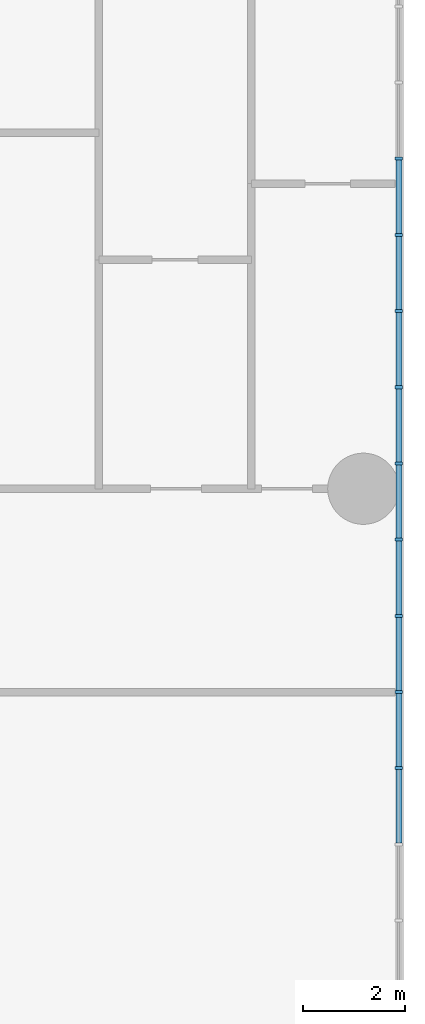
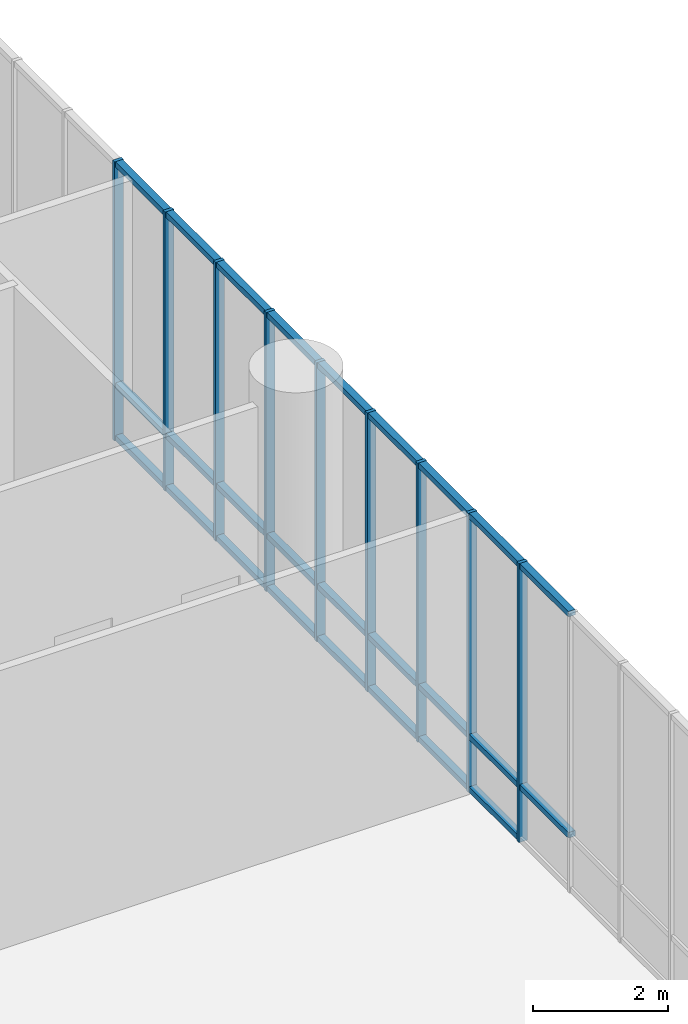
# One storey, part 15 of 30: 35 members, 1 element without a shape of its own.
"""IFC4 building model written with IfcOpenShell, lengths in metres."""

from ifc_helpers import new_model, si_unit, direction, frame, origin, origin_2d, place, context, subcontext, project, spatial, rectangle, extrude, material, layer, layer_set, material_profile, profile_set, type_object, element, aggregate, save


model = new_model("IFC4")

# Units and contexts
model_context = context("Model", 3, precision=1e-05, world=origin(), true_north=direction((0.0, 1.0)))
body_context = subcontext(model_context, "Body", "Model", "MODEL_VIEW")
ifc_project = project(units=[si_unit("LENGTHUNIT", "METRE"), si_unit("AREAUNIT", "SQUARE_METRE"), si_unit("VOLUMEUNIT", "CUBIC_METRE"), si_unit("PLANEANGLEUNIT", "RADIAN"), si_unit("MASSUNIT", "GRAM", prefix="KILO")], contexts=[model_context])

# Site, building, storey
site_placement = place(None, origin())
site = spatial("IfcSite", under=ifc_project, at=site_placement, CompositionType="ELEMENT")
building_placement = place(site_placement, origin())
building = spatial("IfcBuilding", under=site, at=building_placement, Name="Torana Hotel and Residences", CompositionType="ELEMENT")
storey_placement = place(building_placement, frame((0.0, 0.0, 12.5)))
storey = spatial("IfcBuildingStorey", under=building, at=storey_placement, Name="L02", CompositionType="ELEMENT", Elevation=12.5)

# Curtain wall, members
ifc_material_1 = material(Name="Dark anodised aluminium", Category="aluminium")
ifc_layer = layer(ifc_material_1, 0.14990234375)
ifc_layer_set = layer_set([ifc_layer], Name="CW5 PODIUM UPPER UNITISED CURTAIN WALL")
curtain_wall_type = type_object("IfcCurtainWallType", Name="CW5 PODIUM UPPER UNITISED CURTAIN WALL", PredefinedType="NOTDEFINED", material=ifc_layer_set)
curtain_wall_placement = place(storey_placement, origin())
curtain_wall = element("IfcCurtainWall", 1, at=curtain_wall_placement, inside=storey, type_object=curtain_wall_type, Name="Curtain wall CW5 L02 e1.5", PredefinedType="NOTDEFINED")
ifc_material_2 = material(Name="Dark anodised aluminium", Category="aluminium")
ifc_material_profile_1 = material_profile(ifc_material_2, rectangle(XDim=0.14990234375, YDim=0.06005859375, at=origin_2d()), Name="CW5 MULLION 60x150")
ifc_profile_set_1 = profile_set([ifc_material_profile_1], Name="Dark anodised aluminium")
member_type_1 = type_object("IfcMemberType", Name="CW5 MULLION 60x150", PredefinedType="MULLION", material=ifc_profile_set_1)
member_1_placement = place(storey_placement, frame((47.89990234375, -20.493896484375, 0.0), z_axis=(0.0, 0.0, 1.0), x_axis=(-1.0, 0.0, 0.0)))
member_1 = element("IfcMember", 2, at=member_1_placement, type_object=member_type_1, Name="CW5 mullion 10", PredefinedType="MULLION", context=body_context, shape_type="SweptSolid", body=[
    extrude(rectangle(XDim=0.14990234375, YDim=0.06005859375, at=origin_2d()), origin(), (0.0, 0.0, 1.0), 5.050048828125),
])
member_2_placement = place(storey_placement, frame((47.89990234375, -18.995849609375, 0.0), z_axis=(0.0, 0.0, 1.0), x_axis=(-1.0, 0.0, 0.0)))
member_2 = element("IfcMember", 3, at=member_2_placement, type_object=member_type_1, Name="CW5 mullion 11", PredefinedType="MULLION", context=body_context, shape_type="SweptSolid", body=[
    extrude(rectangle(XDim=0.14990234375, YDim=0.06005859375, at=origin_2d()), origin(), (0.0, 0.0, 1.0), 5.050048828125),
])
member_3_placement = place(storey_placement, frame((47.89990234375, -17.498046875, 0.0), z_axis=(0.0, 0.0, 1.0), x_axis=(-1.0, 0.0, 0.0)))
member_3 = element("IfcMember", 4, at=member_3_placement, type_object=member_type_1, Name="CW5 mullion 12", PredefinedType="MULLION", context=body_context, shape_type="SweptSolid", body=[
    extrude(rectangle(XDim=0.14990234375, YDim=0.06005859375, at=origin_2d()), origin(), (0.0, 0.0, 1.0), 5.050048828125),
])
member_4_placement = place(storey_placement, frame((47.89990234375, -16.0, 0.0), z_axis=(0.0, 0.0, 1.0), x_axis=(-1.0, 0.0, 0.0)))
member_4 = element("IfcMember", 5, at=member_4_placement, type_object=member_type_1, Name="CW5 mullion 13", PredefinedType="MULLION", context=body_context, shape_type="SweptSolid", body=[
    extrude(rectangle(XDim=0.14990234375, YDim=0.06005859375, at=origin_2d()), origin(), (0.0, 0.0, 1.0), 5.050048828125),
])
member_5_placement = place(storey_placement, frame((47.89990234375, -14.501953125, 0.0), z_axis=(0.0, 0.0, 1.0), x_axis=(-1.0, 0.0, 0.0)))
member_5 = element("IfcMember", 6, at=member_5_placement, type_object=member_type_1, Name="CW5 mullion 14", PredefinedType="MULLION", context=body_context, shape_type="SweptSolid", body=[
    extrude(rectangle(XDim=0.14990234375, YDim=0.06005859375, at=origin_2d()), origin(), (0.0, 0.0, 1.0), 5.050048828125),
])
member_6_placement = place(storey_placement, frame((47.89990234375, -13.004150390625, 0.0), z_axis=(0.0, 0.0, 1.0), x_axis=(-1.0, 0.0, 0.0)))
member_6 = element("IfcMember", 7, at=member_6_placement, type_object=member_type_1, Name="CW5 mullion 15", PredefinedType="MULLION", context=body_context, shape_type="SweptSolid", body=[
    extrude(rectangle(XDim=0.14990234375, YDim=0.06005859375, at=origin_2d()), origin(), (0.0, 0.0, 1.0), 5.050048828125),
])
member_7_placement = place(storey_placement, frame((47.89990234375, -11.506103515625, 0.0), z_axis=(0.0, 0.0, 1.0), x_axis=(-1.0, 0.0, 0.0)))
member_7 = element("IfcMember", 8, at=member_7_placement, type_object=member_type_1, Name="CW5 mullion 16", PredefinedType="MULLION", context=body_context, shape_type="SweptSolid", body=[
    extrude(rectangle(XDim=0.14990234375, YDim=0.06005859375, at=origin_2d()), origin(), (0.0, 0.0, 1.0), 5.050048828125),
])
member_8_placement = place(storey_placement, frame((47.89990234375, -10.00830078125, 0.0), z_axis=(0.0, 0.0, 1.0), x_axis=(-1.0, 0.0, 0.0)))
member_8 = element("IfcMember", 9, at=member_8_placement, type_object=member_type_1, Name="CW5 mullion 17", PredefinedType="MULLION", context=body_context, shape_type="SweptSolid", body=[
    extrude(rectangle(XDim=0.14990234375, YDim=0.06005859375, at=origin_2d()), origin(), (0.0, 0.0, 1.0), 5.050048828125),
])
member_9_placement = place(storey_placement, frame((47.89990234375, -8.51025390625, 0.0), z_axis=(0.0, 0.0, 1.0), x_axis=(-1.0, 0.0, 0.0)))
member_9 = element("IfcMember", 10, at=member_9_placement, type_object=member_type_1, Name="CW5 mullion 18", PredefinedType="MULLION", context=body_context, shape_type="SweptSolid", body=[
    extrude(rectangle(XDim=0.14990234375, YDim=0.06005859375, at=origin_2d()), origin(), (0.0, 0.0, 1.0), 5.050048828125),
])
ifc_material_3 = material(Name="Dark anodised aluminium", Category="aluminium")
ifc_material_profile_2 = material_profile(ifc_material_3, rectangle(XDim=0.1201171875, YDim=0.10009765625, at=origin_2d()), Name="CW5 TRANSOM 120x100")
ifc_profile_set_2 = profile_set([ifc_material_profile_2], Name="Dark anodised aluminium")
member_type_2 = type_object("IfcMemberType", Name="CW5 TRANSOM 120x100", PredefinedType="USERDEFINED", material=ifc_profile_set_2)
member_10_placement = place(storey_placement, frame((47.89990234375, -21.9619140625, 1.0), z_axis=(0.0, 1.0, 0.0), x_axis=(-1.0, 0.0, 0.0)))
member_10 = element("IfcMember", 11, at=member_10_placement, type_object=member_type_2, Name="CW5 transom 9.2", ObjectType="TRANSOM", PredefinedType="USERDEFINED", context=body_context, shape_type="SweptSolid", body=[
    extrude(rectangle(XDim=0.1201171875, YDim=0.10009765625, at=origin_2d()), origin(), (0.0, 0.0, 1.0), 1.43798828125),
])
member_11_placement = place(storey_placement, frame((47.89990234375, -21.9619140625, 5.0), z_axis=(0.0, 1.0, 0.0), x_axis=(-1.0, 0.0, 0.0)))
member_11 = element("IfcMember", 12, at=member_11_placement, type_object=member_type_2, Name="CW5 transom 9.3", ObjectType="TRANSOM", PredefinedType="USERDEFINED", context=body_context, shape_type="SweptSolid", body=[
    extrude(rectangle(XDim=0.1201171875, YDim=0.10009765625, at=origin_2d()), origin(), (0.0, 0.0, 1.0), 1.43798828125),
])
member_12_placement = place(storey_placement, frame((47.89990234375, -20.4638671875, 0.050048828125), z_axis=(0.0, 1.0, 0.0), x_axis=(-1.0, 0.0, 0.0)))
member_12 = element("IfcMember", 13, at=member_12_placement, type_object=member_type_2, Name="CW5 transom 10.1", ObjectType="TRANSOM", PredefinedType="USERDEFINED", context=body_context, shape_type="SweptSolid", body=[
    extrude(rectangle(XDim=0.1201171875, YDim=0.10009765625, at=origin_2d()), origin(), (0.0, 0.0, 1.0), 1.43798828125),
])
member_13_placement = place(storey_placement, frame((47.89990234375, -20.4638671875, 1.0), z_axis=(0.0, 1.0, 0.0), x_axis=(-1.0, 0.0, 0.0)))
member_13 = element("IfcMember", 14, at=member_13_placement, type_object=member_type_2, Name="CW5 transom 10.2", ObjectType="TRANSOM", PredefinedType="USERDEFINED", context=body_context, shape_type="SweptSolid", body=[
    extrude(rectangle(XDim=0.1201171875, YDim=0.10009765625, at=origin_2d()), origin(), (0.0, 0.0, 1.0), 1.43798828125),
])
member_14_placement = place(storey_placement, frame((47.89990234375, -20.4638671875, 5.0), z_axis=(0.0, 1.0, 0.0), x_axis=(-1.0, 0.0, 0.0)))
member_14 = element("IfcMember", 15, at=member_14_placement, type_object=member_type_2, Name="CW5 transom 10.3", ObjectType="TRANSOM", PredefinedType="USERDEFINED", context=body_context, shape_type="SweptSolid", body=[
    extrude(rectangle(XDim=0.1201171875, YDim=0.10009765625, at=origin_2d()), origin(), (0.0, 0.0, 1.0), 1.43798828125),
])
member_15_placement = place(storey_placement, frame((47.89990234375, -18.9658203125, 0.050048828125), z_axis=(0.0, 1.0, 0.0), x_axis=(-1.0, 0.0, 0.0)))
member_15 = element("IfcMember", 16, at=member_15_placement, type_object=member_type_2, Name="CW5 transom 11.1", ObjectType="TRANSOM", PredefinedType="USERDEFINED", context=body_context, shape_type="SweptSolid", body=[
    extrude(rectangle(XDim=0.1201171875, YDim=0.10009765625, at=origin_2d()), origin(), (0.0, 0.0, 1.0), 1.43798828125),
])
member_16_placement = place(storey_placement, frame((47.89990234375, -18.9658203125, 1.0), z_axis=(0.0, 1.0, 0.0), x_axis=(-1.0, 0.0, 0.0)))
member_16 = element("IfcMember", 17, at=member_16_placement, type_object=member_type_2, Name="CW5 transom 11.2", ObjectType="TRANSOM", PredefinedType="USERDEFINED", context=body_context, shape_type="SweptSolid", body=[
    extrude(rectangle(XDim=0.1201171875, YDim=0.10009765625, at=origin_2d()), origin(), (0.0, 0.0, 1.0), 1.43798828125),
])
member_17_placement = place(storey_placement, frame((47.89990234375, -18.9658203125, 5.0), z_axis=(0.0, 1.0, 0.0), x_axis=(-1.0, 0.0, 0.0)))
member_17 = element("IfcMember", 18, at=member_17_placement, type_object=member_type_2, Name="CW5 transom 11.3", ObjectType="TRANSOM", PredefinedType="USERDEFINED", context=body_context, shape_type="SweptSolid", body=[
    extrude(rectangle(XDim=0.1201171875, YDim=0.10009765625, at=origin_2d()), origin(), (0.0, 0.0, 1.0), 1.43798828125),
])
member_18_placement = place(storey_placement, frame((47.89990234375, -17.468017578125, 0.050048828125), z_axis=(0.0, 1.0, 0.0), x_axis=(-1.0, 0.0, 0.0)))
member_18 = element("IfcMember", 19, at=member_18_placement, type_object=member_type_2, Name="CW5 transom 12.1", ObjectType="TRANSOM", PredefinedType="USERDEFINED", context=body_context, shape_type="SweptSolid", body=[
    extrude(rectangle(XDim=0.1201171875, YDim=0.10009765625, at=origin_2d()), origin(), (0.0, 0.0, 1.0), 1.43798828125),
])
member_19_placement = place(storey_placement, frame((47.89990234375, -17.468017578125, 1.0), z_axis=(0.0, 1.0, 0.0), x_axis=(-1.0, 0.0, 0.0)))
member_19 = element("IfcMember", 20, at=member_19_placement, type_object=member_type_2, Name="CW5 transom 12.2", ObjectType="TRANSOM", PredefinedType="USERDEFINED", context=body_context, shape_type="SweptSolid", body=[
    extrude(rectangle(XDim=0.1201171875, YDim=0.10009765625, at=origin_2d()), origin(), (0.0, 0.0, 1.0), 1.43798828125),
])
member_20_placement = place(storey_placement, frame((47.89990234375, -17.468017578125, 5.0), z_axis=(0.0, 1.0, 0.0), x_axis=(-1.0, 0.0, 0.0)))
member_20 = element("IfcMember", 21, at=member_20_placement, type_object=member_type_2, Name="CW5 transom 12.3", ObjectType="TRANSOM", PredefinedType="USERDEFINED", context=body_context, shape_type="SweptSolid", body=[
    extrude(rectangle(XDim=0.1201171875, YDim=0.10009765625, at=origin_2d()), origin(), (0.0, 0.0, 1.0), 1.43798828125),
])
member_21_placement = place(storey_placement, frame((47.89990234375, -15.969970703125, 0.050048828125), z_axis=(0.0, 1.0, 0.0), x_axis=(-1.0, 0.0, 0.0)))
member_21 = element("IfcMember", 22, at=member_21_placement, type_object=member_type_2, Name="CW5 transom 13.1", ObjectType="TRANSOM", PredefinedType="USERDEFINED", context=body_context, shape_type="SweptSolid", body=[
    extrude(rectangle(XDim=0.1201171875, YDim=0.10009765625, at=origin_2d()), origin(), (0.0, 0.0, 1.0), 1.43798828125),
])
member_22_placement = place(storey_placement, frame((47.89990234375, -15.969970703125, 1.0), z_axis=(0.0, 1.0, 0.0), x_axis=(-1.0, 0.0, 0.0)))
member_22 = element("IfcMember", 23, at=member_22_placement, type_object=member_type_2, Name="CW5 transom 13.2", ObjectType="TRANSOM", PredefinedType="USERDEFINED", context=body_context, shape_type="SweptSolid", body=[
    extrude(rectangle(XDim=0.1201171875, YDim=0.10009765625, at=origin_2d()), origin(), (0.0, 0.0, 1.0), 1.43798828125),
])
member_23_placement = place(storey_placement, frame((47.89990234375, -15.969970703125, 5.0), z_axis=(0.0, 1.0, 0.0), x_axis=(-1.0, 0.0, 0.0)))
member_23 = element("IfcMember", 24, at=member_23_placement, type_object=member_type_2, Name="CW5 transom 13.3", ObjectType="TRANSOM", PredefinedType="USERDEFINED", context=body_context, shape_type="SweptSolid", body=[
    extrude(rectangle(XDim=0.1201171875, YDim=0.10009765625, at=origin_2d()), origin(), (0.0, 0.0, 1.0), 1.43798828125),
])
member_24_placement = place(storey_placement, frame((47.89990234375, -14.47216796875, 0.050048828125), z_axis=(0.0, 1.0, 0.0), x_axis=(-1.0, 0.0, 0.0)))
member_24 = element("IfcMember", 25, at=member_24_placement, type_object=member_type_2, Name="CW5 transom 14.1", ObjectType="TRANSOM", PredefinedType="USERDEFINED", context=body_context, shape_type="SweptSolid", body=[
    extrude(rectangle(XDim=0.1201171875, YDim=0.10009765625, at=origin_2d()), origin(), (0.0, 0.0, 1.0), 1.43798828125),
])
member_25_placement = place(storey_placement, frame((47.89990234375, -14.47216796875, 1.0), z_axis=(0.0, 1.0, 0.0), x_axis=(-1.0, 0.0, 0.0)))
member_25 = element("IfcMember", 26, at=member_25_placement, type_object=member_type_2, Name="CW5 transom 14.2", ObjectType="TRANSOM", PredefinedType="USERDEFINED", context=body_context, shape_type="SweptSolid", body=[
    extrude(rectangle(XDim=0.1201171875, YDim=0.10009765625, at=origin_2d()), origin(), (0.0, 0.0, 1.0), 1.43798828125),
])
member_26_placement = place(storey_placement, frame((47.89990234375, -14.47216796875, 5.0), z_axis=(0.0, 1.0, 0.0), x_axis=(-1.0, 0.0, 0.0)))
member_26 = element("IfcMember", 27, at=member_26_placement, type_object=member_type_2, Name="CW5 transom 14.3", ObjectType="TRANSOM", PredefinedType="USERDEFINED", context=body_context, shape_type="SweptSolid", body=[
    extrude(rectangle(XDim=0.1201171875, YDim=0.10009765625, at=origin_2d()), origin(), (0.0, 0.0, 1.0), 1.43798828125),
])
member_27_placement = place(storey_placement, frame((47.89990234375, -12.97412109375, 0.050048828125), z_axis=(0.0, 1.0, 0.0), x_axis=(-1.0, 0.0, 0.0)))
member_27 = element("IfcMember", 28, at=member_27_placement, type_object=member_type_2, Name="CW5 transom 15.1", ObjectType="TRANSOM", PredefinedType="USERDEFINED", context=body_context, shape_type="SweptSolid", body=[
    extrude(rectangle(XDim=0.1201171875, YDim=0.10009765625, at=origin_2d()), origin(), (0.0, 0.0, 1.0), 1.43798828125),
])
member_28_placement = place(storey_placement, frame((47.89990234375, -12.97412109375, 1.0), z_axis=(0.0, 1.0, 0.0), x_axis=(-1.0, 0.0, 0.0)))
member_28 = element("IfcMember", 29, at=member_28_placement, type_object=member_type_2, Name="CW5 transom 15.2", ObjectType="TRANSOM", PredefinedType="USERDEFINED", context=body_context, shape_type="SweptSolid", body=[
    extrude(rectangle(XDim=0.1201171875, YDim=0.10009765625, at=origin_2d()), origin(), (0.0, 0.0, 1.0), 1.43798828125),
])
member_29_placement = place(storey_placement, frame((47.89990234375, -12.97412109375, 5.0), z_axis=(0.0, 1.0, 0.0), x_axis=(-1.0, 0.0, 0.0)))
member_29 = element("IfcMember", 30, at=member_29_placement, type_object=member_type_2, Name="CW5 transom 15.3", ObjectType="TRANSOM", PredefinedType="USERDEFINED", context=body_context, shape_type="SweptSolid", body=[
    extrude(rectangle(XDim=0.1201171875, YDim=0.10009765625, at=origin_2d()), origin(), (0.0, 0.0, 1.0), 1.43798828125),
])
member_30_placement = place(storey_placement, frame((47.89990234375, -11.47607421875, 0.050048828125), z_axis=(0.0, 1.0, 0.0), x_axis=(-1.0, 0.0, 0.0)))
member_30 = element("IfcMember", 31, at=member_30_placement, type_object=member_type_2, Name="CW5 transom 16.1", ObjectType="TRANSOM", PredefinedType="USERDEFINED", context=body_context, shape_type="SweptSolid", body=[
    extrude(rectangle(XDim=0.1201171875, YDim=0.10009765625, at=origin_2d()), origin(), (0.0, 0.0, 1.0), 1.43798828125),
])
member_31_placement = place(storey_placement, frame((47.89990234375, -11.47607421875, 1.0), z_axis=(0.0, 1.0, 0.0), x_axis=(-1.0, 0.0, 0.0)))
member_31 = element("IfcMember", 32, at=member_31_placement, type_object=member_type_2, Name="CW5 transom 16.2", ObjectType="TRANSOM", PredefinedType="USERDEFINED", context=body_context, shape_type="SweptSolid", body=[
    extrude(rectangle(XDim=0.1201171875, YDim=0.10009765625, at=origin_2d()), origin(), (0.0, 0.0, 1.0), 1.43798828125),
])
member_32_placement = place(storey_placement, frame((47.89990234375, -11.47607421875, 5.0), z_axis=(0.0, 1.0, 0.0), x_axis=(-1.0, 0.0, 0.0)))
member_32 = element("IfcMember", 33, at=member_32_placement, type_object=member_type_2, Name="CW5 transom 16.3", ObjectType="TRANSOM", PredefinedType="USERDEFINED", context=body_context, shape_type="SweptSolid", body=[
    extrude(rectangle(XDim=0.1201171875, YDim=0.10009765625, at=origin_2d()), origin(), (0.0, 0.0, 1.0), 1.43798828125),
])
member_33_placement = place(storey_placement, frame((47.89990234375, -9.978271484375, 0.050048828125), z_axis=(0.0, 1.0, 0.0), x_axis=(-1.0, 0.0, 0.0)))
member_33 = element("IfcMember", 34, at=member_33_placement, type_object=member_type_2, Name="CW5 transom 17.1", ObjectType="TRANSOM", PredefinedType="USERDEFINED", context=body_context, shape_type="SweptSolid", body=[
    extrude(rectangle(XDim=0.1201171875, YDim=0.10009765625, at=origin_2d()), origin(), (0.0, 0.0, 1.0), 1.43798828125),
])
member_34_placement = place(storey_placement, frame((47.89990234375, -9.978271484375, 1.0), z_axis=(0.0, 1.0, 0.0), x_axis=(-1.0, 0.0, 0.0)))
member_34 = element("IfcMember", 35, at=member_34_placement, type_object=member_type_2, Name="CW5 transom 17.2", ObjectType="TRANSOM", PredefinedType="USERDEFINED", context=body_context, shape_type="SweptSolid", body=[
    extrude(rectangle(XDim=0.1201171875, YDim=0.10009765625, at=origin_2d()), origin(), (0.0, 0.0, 1.0), 1.43798828125),
])
member_35_placement = place(storey_placement, frame((47.89990234375, -9.978271484375, 5.0), z_axis=(0.0, 1.0, 0.0), x_axis=(-1.0, 0.0, 0.0)))
member_35 = element("IfcMember", 36, at=member_35_placement, type_object=member_type_2, Name="CW5 transom 17.3", ObjectType="TRANSOM", PredefinedType="USERDEFINED", context=body_context, shape_type="SweptSolid", body=[
    extrude(rectangle(XDim=0.1201171875, YDim=0.10009765625, at=origin_2d()), origin(), (0.0, 0.0, 1.0), 1.43798828125),
])
aggregate(curtain_wall, [member_1, member_2, member_3, member_4, member_5, member_6, member_7, member_8, member_9, member_10, member_11, member_12, member_13, member_14, member_15, member_16, member_17, member_18, member_19, member_20, member_21, member_22, member_23, member_24, member_25, member_26, member_27, member_28, member_29, member_30, member_31, member_32, member_33, member_34, member_35])

save(model, "model.ifc")
